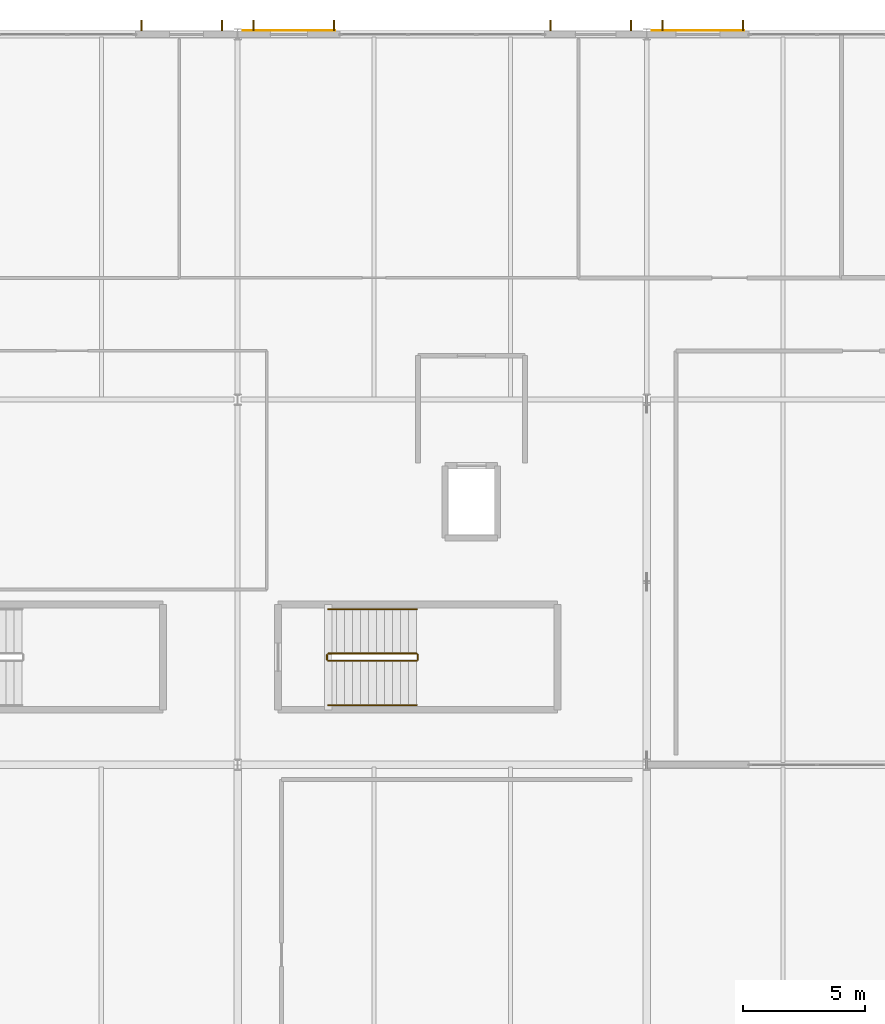
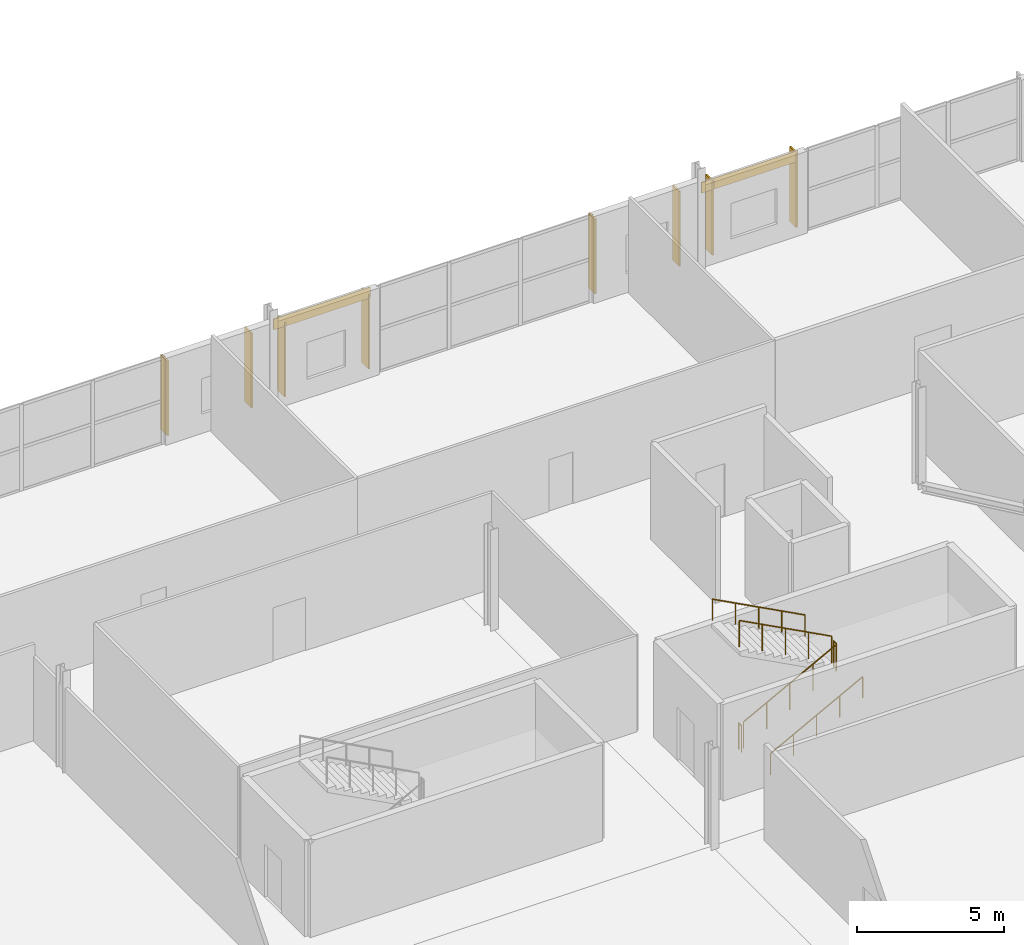
# One storey, part 38 of 39: 8 shading devices, 6 railings, 2 coverings.
"""IFC4 building model written with IfcOpenShell, lengths in metres."""

from ifc_helpers import new_model, si_unit, direction, frame, origin, origin_2d, place, context, subcontext, project, spatial, rectangle, circle, extrude, material, layer, layer_set, type_object, element, save


model = new_model("IFC4")

# Units and contexts
model_context = context("Model", 3, precision=1e-05, world=origin(), true_north=direction((0.0, 1.0)))
body_context = subcontext(model_context, "Body", "Model", "MODEL_VIEW")
ifc_project = project(units=[si_unit("LENGTHUNIT", "METRE"), si_unit("AREAUNIT", "SQUARE_METRE"), si_unit("VOLUMEUNIT", "CUBIC_METRE"), si_unit("PLANEANGLEUNIT", "RADIAN"), si_unit("MASSUNIT", "GRAM", prefix="KILO")], contexts=[model_context])

# Site, building, storey
site_placement = place(None, origin())
site = spatial("IfcSite", under=ifc_project, at=site_placement, CompositionType="ELEMENT")
building_placement = place(site_placement, origin())
building = spatial("IfcBuilding", under=site, at=building_placement, Name="Kimbaza Rail Terminus", CompositionType="ELEMENT")
storey_placement = place(building_placement, frame((0.0, 0.0, 16.800048828125)))
storey = spatial("IfcBuildingStorey", under=building, at=storey_placement, Name="L03", CompositionType="ELEMENT", Elevation=16.800048828125)

# Coverings
ifc_material_1 = material(Name="Champagne anodised aluminium spandrel cladding", Category="aluminium")
ifc_layer = layer(ifc_material_1, 0.034912109375)
ifc_layer_set = layer_set([ifc_layer], Name="Champagne anodised aluminium spandrel cladding")
covering_type = type_object("IfcCoveringType", Name="ARC-COV-CLD1", PredefinedType="CLADDING", material=ifc_layer_set)
for number, where, z_axis, x_axis, name in (
    (1, (124.5, 133.156005859375, 3.080078125), (0.0, 0.0, 1.0), (1.0, 0.0, 0.0), "North Spandrel Cladding L03 Bay 5"),
    (2, (141.300048828125, 133.156005859375, 2.8701171875), (0.0, 0.0, 1.0), (1.0, 0.0, 0.0), "North Spandrel Cladding L03 Bay 6"),
):
    element("IfcCovering", number, at=place(storey_placement, frame(where, z_axis=z_axis, x_axis=x_axis)), inside=storey, type_object=covering_type, Name=name, PredefinedType="CLADDING", context=body_context, shape_type="SweptSolid", body=[
        extrude(rectangle(XDim=3.800048828125, YDim=0.034912109375, at=origin_2d()), origin(), (0.0, 0.0, 1.0), 0.449951171875),
    ])

# Railings
ifc_material_2 = material(Name="Brushed stainless steel handrail", Category="steel")
railing_type_1 = type_object("IfcRailingType", Name="ARC-RL-HND92", PredefinedType="HANDRAIL", material=ifc_material_2)
railing_1_placement = place(storey_placement, frame((126.1201171875, 105.449951171875, 0.175048828125)))
element("IfcRailing", 3, at=railing_1_placement, inside=storey, type_object=railing_type_1, Name="L03 ST-E1 stair handrail 1", PredefinedType="HANDRAIL", context=body_context, shape_type="SweptSolid", body=[
    extrude(circle(Radius=0.02392578125, at=origin_2d()), frame((0.0, 0.0, 0.8759765625), z_axis=(0.883475517009, 0.0, 0.468477332264), x_axis=(0.0, 1.0, 0.0)), (0.0, 0.0, 1.0), 4.108642578125),
    extrude(circle(Radius=0.02099609375, at=origin_2d()), origin(), (0.0, 0.0, 1.0), 0.851806640625),
    extrude(circle(Radius=0.02099609375, at=origin_2d()), frame((0.907470703125, 0.0, 0.481201171875)), (0.0, 0.0, 1.0), 0.851806640625),
    extrude(circle(Radius=0.02099609375, at=origin_2d()), frame((1.81494140625, 0.0, 0.96240234375)), (0.0, 0.0, 1.0), 0.851806640625),
    extrude(circle(Radius=0.02099609375, at=origin_2d()), frame((2.722412109375, 0.0, 1.443603515625)), (0.0, 0.0, 1.0), 0.851806640625),
    extrude(circle(Radius=0.02099609375, at=origin_2d()), frame((3.6298828125, 0.0, 1.9248046875)), (0.0, 0.0, 1.0), 0.851806640625),
])
railing_2_placement = place(storey_placement, frame((129.75, 109.389892578125, 2.27490234375)))
element("IfcRailing", 4, at=railing_2_placement, inside=storey, type_object=railing_type_1, Name="L03 ST-E1 stair handrail 2", PredefinedType="HANDRAIL", context=body_context, shape_type="SweptSolid", body=[
    extrude(circle(Radius=0.02392578125, at=origin_2d()), frame((0.0, 0.0, 0.8759765625), z_axis=(-0.883450922709, 0.0, 0.468523710355), x_axis=(0.0, -1.0, 0.0)), (0.0, 0.0, 1.0), 4.108642578125),
    extrude(circle(Radius=0.02099609375, at=origin_2d()), origin(), (0.0, 0.0, 1.0), 0.851806640625),
    extrude(circle(Radius=0.02099609375, at=origin_2d()), frame((-0.907470703125, 0.0, 0.481201171875)), (0.0, 0.0, 1.0), 0.851806640625),
    extrude(circle(Radius=0.02099609375, at=origin_2d()), frame((-1.81494140625, 0.0, 0.96240234375)), (0.0, 0.0, 1.0), 0.851806640625),
    extrude(circle(Radius=0.02099609375, at=origin_2d()), frame((-2.722412109375, 0.0, 1.44384765625)), (0.0, 0.0, 1.0), 0.851806640625),
    extrude(circle(Radius=0.02099609375, at=origin_2d()), frame((-3.6298828125, 0.0, 1.925048828125)), (0.0, 0.0, 1.0), 0.851806640625),
])
ifc_material_3 = material(Name="Painted tubular steel stair well guard", Category="steel")
railing_type_2 = type_object("IfcRailingType", Name="ARC-RL-STGRD", PredefinedType="GUARDRAIL", material=ifc_material_3)
railing_3_placement = place(storey_placement, frame((126.1201171875, 107.27001953125, 0.175048828125)))
element("IfcRailing", 5, at=railing_3_placement, inside=storey, type_object=railing_type_2, Name="L03 ST-E1 stair guard 1", PredefinedType="GUARDRAIL", context=body_context, shape_type="SweptSolid", body=[
    extrude(circle(Radius=0.02392578125, at=origin_2d()), frame((0.0, 0.0, 1.09619140625), z_axis=(0.883475517009, 0.0, 0.468477332264), x_axis=(0.0, 1.0, 0.0)), (0.0, 0.0, 1.0), 4.108642578125),
    extrude(circle(Radius=0.02099609375, at=origin_2d()), origin(), (0.0, 0.0, 1.0), 1.072021484375),
    extrude(circle(Radius=0.02099609375, at=origin_2d()), frame((0.907470703125, 0.0, 0.481201171875)), (0.0, 0.0, 1.0), 1.072021484375),
    extrude(circle(Radius=0.02099609375, at=origin_2d()), frame((1.81494140625, 0.0, 0.96240234375)), (0.0, 0.0, 1.0), 1.072021484375),
    extrude(circle(Radius=0.02099609375, at=origin_2d()), frame((2.722412109375, 0.0, 1.443603515625)), (0.0, 0.0, 1.0), 1.072021484375),
    extrude(circle(Radius=0.02099609375, at=origin_2d()), frame((3.6298828125, 0.0, 1.9248046875)), (0.0, 0.0, 1.0), 1.072021484375),
])
railing_4_placement = place(storey_placement, frame((129.800048828125, 107.320068359375, 2.099853515625)))
element("IfcRailing", 6, at=railing_4_placement, inside=storey, type_object=railing_type_2, Name="L03 ST-E1 stair guard 2", PredefinedType="GUARDRAIL", context=body_context, shape_type="SweptSolid", body=[
    extrude(circle(Radius=0.02392578125, at=origin_2d()), frame((0.0, 0.0, 1.09619140625), z_axis=(0.0, 1.0, 0.0), x_axis=(-1.0, 0.0, 0.0)), (0.0, 0.0, 1.0), 0.199951171875),
    extrude(circle(Radius=0.02099609375, at=origin_2d()), origin(), (0.0, 0.0, 1.0), 1.072021484375),
    extrude(circle(Radius=0.02099609375, at=origin_2d()), frame((0.0, 0.199951171875, 0.0)), (0.0, 0.0, 1.0), 1.072021484375),
])
railing_5_placement = place(storey_placement, frame((129.75, 107.570068359375, 2.27490234375)))
element("IfcRailing", 7, at=railing_5_placement, inside=storey, type_object=railing_type_2, Name="L03 ST-E1 stair guard 3", PredefinedType="GUARDRAIL", context=body_context, shape_type="SweptSolid", body=[
    extrude(circle(Radius=0.02392578125, at=origin_2d()), frame((0.0, 0.0, 1.09619140625), z_axis=(-0.883450922709, 0.0, 0.468523710355), x_axis=(0.0, -1.0, 0.0)), (0.0, 0.0, 1.0), 4.108642578125),
    extrude(circle(Radius=0.02099609375, at=origin_2d()), origin(), (0.0, 0.0, 1.0), 1.072021484375),
    extrude(circle(Radius=0.02099609375, at=origin_2d()), frame((-0.907470703125, 0.0, 0.481201171875)), (0.0, 0.0, 1.0), 1.072021484375),
    extrude(circle(Radius=0.02099609375, at=origin_2d()), frame((-1.81494140625, 0.0, 0.96240234375)), (0.0, 0.0, 1.0), 1.072021484375),
    extrude(circle(Radius=0.02099609375, at=origin_2d()), frame((-2.722412109375, 0.0, 1.44384765625)), (0.0, 0.0, 1.0), 1.072021484375),
    extrude(circle(Radius=0.02099609375, at=origin_2d()), frame((-3.6298828125, 0.0, 1.925048828125)), (0.0, 0.0, 1.0), 1.072021484375),
])
railing_6_placement = place(storey_placement, frame((126.070068359375, 107.320068359375, 0.0)))
element("IfcRailing", 8, at=railing_6_placement, inside=storey, type_object=railing_type_2, Name="L03 ST-E1 stair guard 4", PredefinedType="GUARDRAIL", context=body_context, shape_type="SweptSolid", body=[
    extrude(circle(Radius=0.02392578125, at=origin_2d()), frame((0.0, 0.0, 1.09619140625), z_axis=(0.0, 1.0, 0.0), x_axis=(-1.0, 0.0, 0.0)), (0.0, 0.0, 1.0), 0.199951171875),
    extrude(circle(Radius=0.02099609375, at=origin_2d()), origin(), (0.0, 0.0, 1.0), 1.072021484375),
    extrude(circle(Radius=0.02099609375, at=origin_2d()), frame((0.0, 0.199951171875, 0.0)), (0.0, 0.0, 1.0), 1.072021484375),
])

# Shading devices
ifc_material_4 = material(Name="Champagne anodised extruded aluminium", Category="aluminium")
shading_device_type = type_object("IfcShadingDeviceType", Name="ARC-SHD-FIN450", PredefinedType="USERDEFINED", material=ifc_material_4)
for number, where, z_axis, x_axis, name in (
    (9, (118.449951171875, 133.363037109375, 0.14990234375), (0.0, 0.0, 1.0), (1.0, 0.0, 0.0), "North Solar Fin L03 Bay 4.3"),
    (10, (121.75, 133.363037109375, 0.14990234375), (0.0, 0.0, 1.0), (1.0, 0.0, 0.0), "North Solar Fin L03 Bay 4.4"),
    (11, (123.050048828125, 133.363037109375, 0.14990234375), (0.0, 0.0, 1.0), (1.0, 0.0, 0.0), "North Solar Fin L03 Bay 5.1"),
    (12, (126.35009765625, 133.363037109375, 0.14990234375), (0.0, 0.0, 1.0), (1.0, 0.0, 0.0), "North Solar Fin L03 Bay 5.2"),
    (13, (135.25, 133.363037109375, 0.14990234375), (0.0, 0.0, 1.0), (1.0, 0.0, 0.0), "North Solar Fin L03 Bay 5.3"),
    (14, (138.550048828125, 133.363037109375, 0.14990234375), (0.0, 0.0, 1.0), (1.0, 0.0, 0.0), "North Solar Fin L03 Bay 5.4"),
    (15, (139.85009765625, 133.363037109375, 0.14990234375), (0.0, 0.0, 1.0), (1.0, 0.0, 0.0), "North Solar Fin L03 Bay 6.1"),
    (16, (143.14990234375, 133.363037109375, 0.14990234375), (0.0, 0.0, 1.0), (1.0, 0.0, 0.0), "North Solar Fin L03 Bay 6.2"),
):
    element("IfcShadingDevice", number, at=place(storey_placement, frame(where, z_axis=z_axis, x_axis=x_axis)), inside=storey, type_object=shading_device_type, Name=name, ObjectType="BRISE SOLEIL FIN", PredefinedType="USERDEFINED", context=body_context, shape_type="SweptSolid", body=[
        extrude(rectangle(XDim=0.06494140625, YDim=0.449951171875, at=origin_2d()), origin(), (0.0, 0.0, 1.0), 3.10009765625),
    ])

save(model, "model.ifc")
